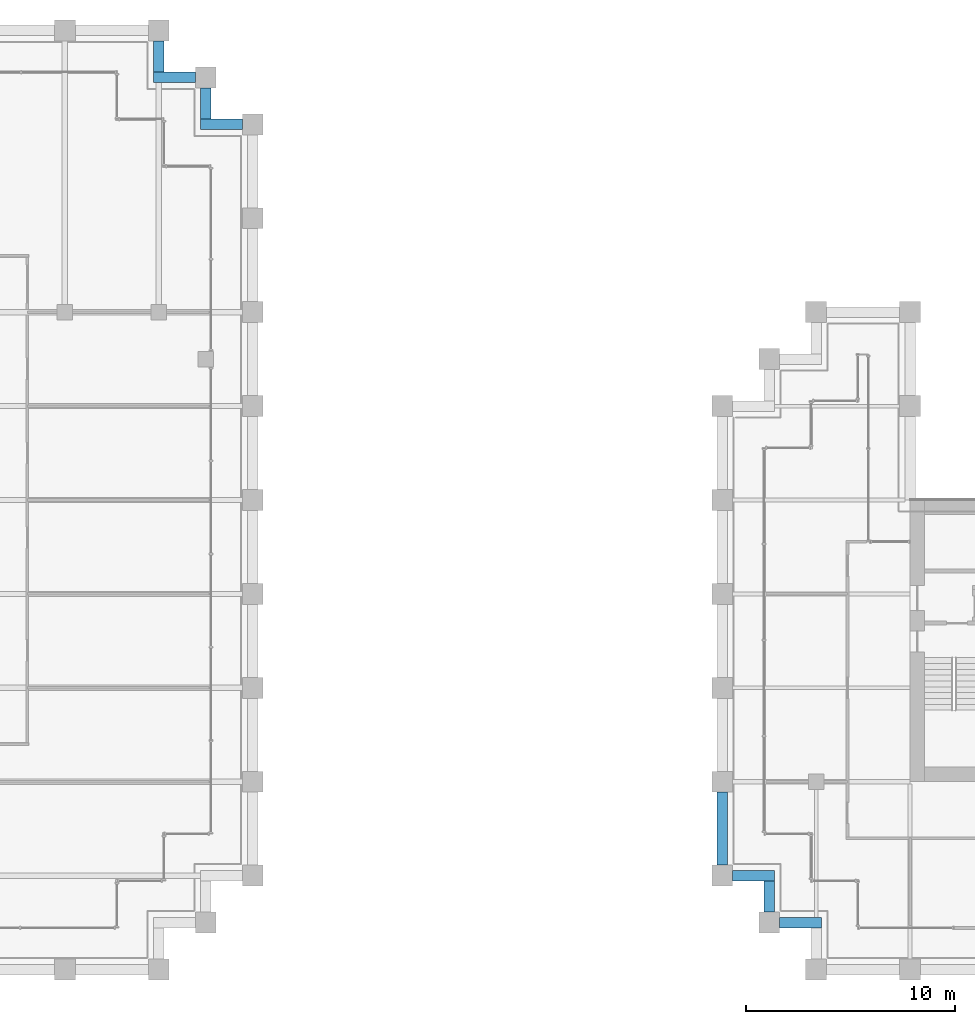
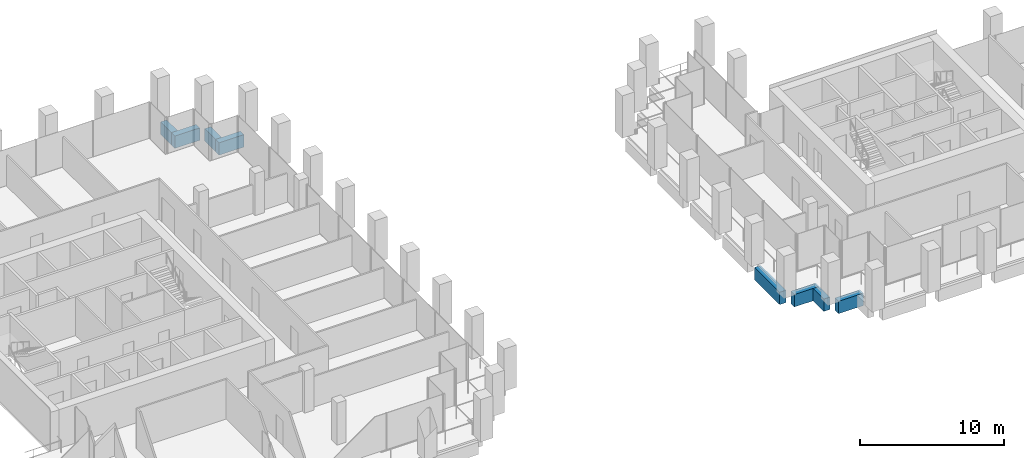
# One storey, part 27 of 46: 8 beams.
"""IFC4 building model written with IfcOpenShell, lengths in metres."""

from ifc_helpers import new_model, si_unit, direction, frame, origin, origin_2d, place, context, subcontext, project, spatial, rectangle, extrude, material, material_profile, profile_set, type_object, element, save


model = new_model("IFC4")

# Units and contexts
model_context = context("Model", 3, precision=1e-05, world=origin(), true_north=direction((0.0, 1.0)))
body_context = subcontext(model_context, "Body", "Model", "MODEL_VIEW")
ifc_project = project(units=[si_unit("LENGTHUNIT", "METRE"), si_unit("AREAUNIT", "SQUARE_METRE"), si_unit("VOLUMEUNIT", "CUBIC_METRE"), si_unit("PLANEANGLEUNIT", "RADIAN"), si_unit("MASSUNIT", "GRAM", prefix="KILO")], contexts=[model_context])

# Site, building, storey
site_placement = place(None, origin())
site = spatial("IfcSite", under=ifc_project, at=site_placement, CompositionType="ELEMENT")
building_placement = place(site_placement, origin())
building = spatial("IfcBuilding", under=site, at=building_placement, Name="Altepetl Exchange Towers", CompositionType="ELEMENT")
storey_placement = place(building_placement, frame((0.0, 0.0, 135.199951171875)))
storey = spatial("IfcBuildingStorey", under=building, at=storey_placement, Name="L33", CompositionType="ELEMENT", Elevation=135.199951171875)

# Beams
ifc_material_1 = material(Name="Concrete C50/60 precast with cantera rosa facing", Category="concrete")
ifc_material_profile_1 = material_profile(ifc_material_1, rectangle(XDim=0.5, YDim=1.050048828125, at=origin_2d()), Name="500 x 1050")
ifc_profile_set_1 = profile_set([ifc_material_profile_1], Name="Concrete C50/60 precast with cantera rosa facing")
beam_type_1 = type_object("IfcBeamType", Name="Spandrel beam 500x1050 cantera rosa", PredefinedType="SPANDREL", material=ifc_profile_set_1)
beam_1_placement = place(storey_placement, frame((71.5, 67.5, -0.675048828125), z_axis=(-1.0, 0.0, 0.0), x_axis=(0.0, -1.0, 0.0)))
element("IfcBeam", 1, at=beam_1_placement, inside=storey, type_object=beam_type_1, Name="sp:A:L33:020", PredefinedType="SPANDREL", context=body_context, shape_type="SweptSolid", body=[
    extrude(rectangle(XDim=0.5, YDim=1.050048828125, at=origin_2d()), origin(), (0.0, 0.0, 1.0), 2.0),
])
beam_2_placement = place(storey_placement, frame((69.75, 67.75, -0.675048828125), z_axis=(0.0, 1.0, 0.0), x_axis=(-1.0, 0.0, 0.0)))
element("IfcBeam", 2, at=beam_2_placement, inside=storey, type_object=beam_type_1, Name="sp:A:L33:021", PredefinedType="SPANDREL", context=body_context, shape_type="SweptSolid", body=[
    extrude(rectangle(XDim=0.5, YDim=1.050048828125, at=origin_2d()), origin(), (0.0, 0.0, 1.0), 1.5),
])
beam_3_placement = place(storey_placement, frame((69.25, 69.75, -0.675048828125), z_axis=(-1.0, 0.0, 0.0), x_axis=(0.0, -1.0, 0.0)))
element("IfcBeam", 3, at=beam_3_placement, inside=storey, type_object=beam_type_1, Name="sp:A:L33:022", PredefinedType="SPANDREL", context=body_context, shape_type="SweptSolid", body=[
    extrude(rectangle(XDim=0.5, YDim=1.050048828125, at=origin_2d()), origin(), (0.0, 0.0, 1.0), 2.0),
])
beam_4_placement = place(storey_placement, frame((67.5, 70.0, -0.675048828125), z_axis=(0.0, 1.0, 0.0), x_axis=(-1.0, 0.0, 0.0)))
element("IfcBeam", 4, at=beam_4_placement, inside=storey, type_object=beam_type_1, Name="sp:A:L33:023", PredefinedType="SPANDREL", context=body_context, shape_type="SweptSolid", body=[
    extrude(rectangle(XDim=0.5, YDim=1.050048828125, at=origin_2d()), origin(), (0.0, 0.0, 1.0), 1.5),
])
ifc_material_2 = material(Name="Concrete C50/60 precast with tezontle facing", Category="concrete")
ifc_material_profile_2 = material_profile(ifc_material_2, rectangle(XDim=0.5, YDim=1.050048828125, at=origin_2d()), Name="500 x 1050")
ifc_profile_set_2 = profile_set([ifc_material_profile_2], Name="Concrete C50/60 precast with tezontle facing")
beam_type_2 = type_object("IfcBeamType", Name="Spandrel beam 500x1050 tezontle", PredefinedType="SPANDREL", material=ifc_profile_set_2)
beam_5_placement = place(storey_placement, frame((94.5, 35.5, -0.675048828125), z_axis=(0.0, -1.0, 0.0), x_axis=(1.0, 0.0, 0.0)))
element("IfcBeam", 5, at=beam_5_placement, inside=storey, type_object=beam_type_2, Name="sp:B:L33:026", PredefinedType="SPANDREL", context=body_context, shape_type="SweptSolid", body=[
    extrude(rectangle(XDim=0.5, YDim=1.050048828125, at=origin_2d()), origin(), (0.0, 0.0, 1.0), 3.5),
])
beam_6_placement = place(storey_placement, frame((95.0, 31.5, -0.675048828125), z_axis=(1.0, 0.0, 0.0), x_axis=(0.0, 1.0, 0.0)))
element("IfcBeam", 6, at=beam_6_placement, inside=storey, type_object=beam_type_2, Name="sp:B:L33:027", PredefinedType="SPANDREL", context=body_context, shape_type="SweptSolid", body=[
    extrude(rectangle(XDim=0.5, YDim=1.050048828125, at=origin_2d()), origin(), (0.0, 0.0, 1.0), 2.0),
])
beam_7_placement = place(storey_placement, frame((96.75, 31.25, -0.675048828125), z_axis=(0.0, -1.0, 0.0), x_axis=(1.0, 0.0, 0.0)))
element("IfcBeam", 7, at=beam_7_placement, inside=storey, type_object=beam_type_2, Name="sp:B:L33:028", PredefinedType="SPANDREL", context=body_context, shape_type="SweptSolid", body=[
    extrude(rectangle(XDim=0.5, YDim=1.050048828125, at=origin_2d()), origin(), (0.0, 0.0, 1.0), 1.5),
])
beam_8_placement = place(storey_placement, frame((97.25, 29.25, -0.675048828125), z_axis=(1.0, 0.0, 0.0), x_axis=(0.0, 1.0, 0.0)))
element("IfcBeam", 8, at=beam_8_placement, inside=storey, type_object=beam_type_2, Name="sp:B:L33:029", PredefinedType="SPANDREL", context=body_context, shape_type="SweptSolid", body=[
    extrude(rectangle(XDim=0.5, YDim=1.050048828125, at=origin_2d()), origin(), (0.0, 0.0, 1.0), 2.0),
])

save(model, "model.ifc")
